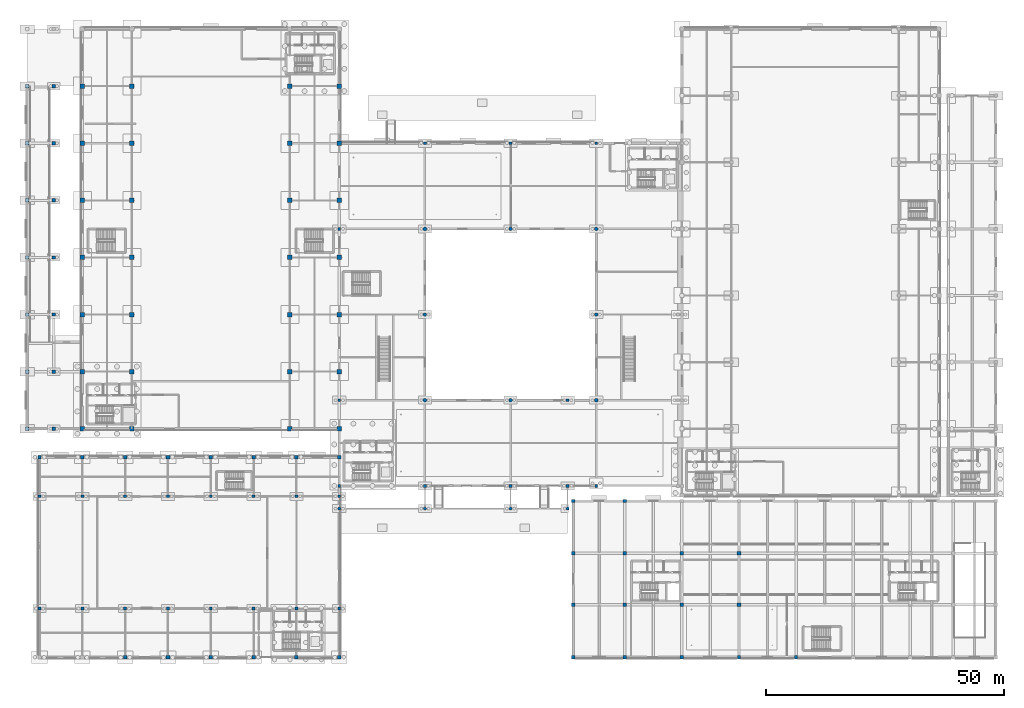
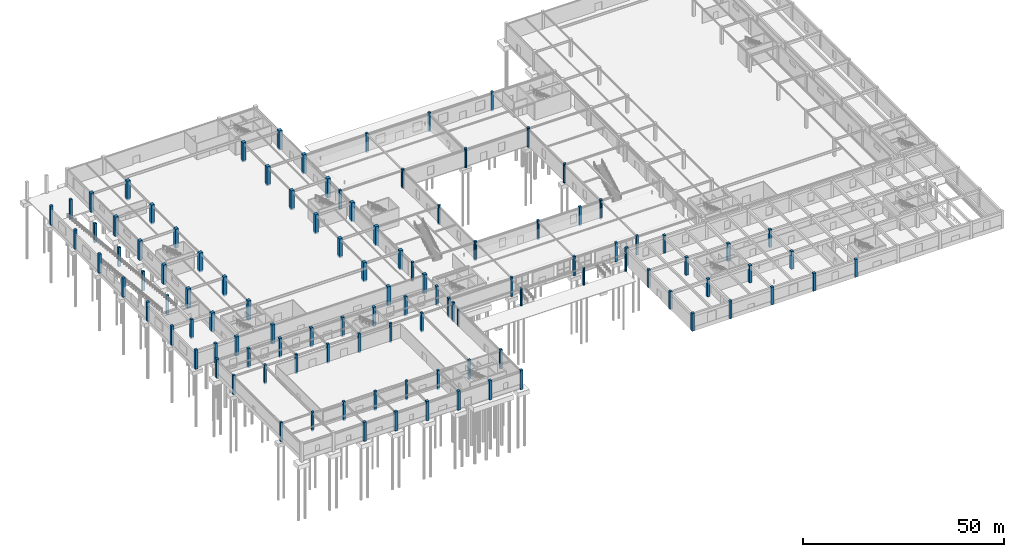
# One storey, part 8 of 53: 110 columns.
"""IFC4 building model written with IfcOpenShell, lengths in metres."""

from ifc_helpers import new_model, si_unit, derived_unit, direction, frame, origin, origin_2d, place, context, subcontext, project, spatial, rectangle, circle, extrude, material, material_profile, profile_set, type_object, element, save


model = new_model("IFC4")

# Units and contexts
model_context = context("Model", 3, precision=1e-05, world=origin(), true_north=direction((0.0, 1.0)))
body_context = subcontext(model_context, "Body", "Model", "MODEL_VIEW")
ifc_project = project(units=[si_unit("LENGTHUNIT", "METRE"), si_unit("AREAUNIT", "SQUARE_METRE"), si_unit("VOLUMEUNIT", "CUBIC_METRE"), si_unit("PLANEANGLEUNIT", "RADIAN"), si_unit("MASSUNIT", "GRAM", prefix="KILO"), derived_unit("THERMALTRANSMITTANCEUNIT", [(si_unit("POWERUNIT", "WATT"), 1), (si_unit("LENGTHUNIT", "METRE"), -2), (si_unit("THERMODYNAMICTEMPERATUREUNIT", "KELVIN"), -1)])], contexts=[model_context])

# Site, building, storey
site_placement = place(None, origin())
site = spatial("IfcSite", under=ifc_project, at=site_placement, CompositionType="ELEMENT")
building_placement = place(site_placement, origin())
building = spatial("IfcBuilding", under=site, at=building_placement, Name="Almenara Railside Exhibition Hall", CompositionType="ELEMENT")
storey_placement = place(building_placement, origin())
storey = spatial("IfcBuildingStorey", under=building, at=storey_placement, Name="L00", CompositionType="ELEMENT", Elevation=0.0)

# Columns
ifc_material_1 = material(Name="Concrete C35/45", Category="concrete")
ifc_material_profile_1 = material_profile(ifc_material_1, circle(Radius=0.324951171875, at=origin_2d()), Name="RC-COL D650")
ifc_profile_set_1 = profile_set([ifc_material_profile_1], Name="Concrete C35/45")
column_type_1 = type_object("IfcColumnType", Name="Arcade Tuscan Column D650 C35/45", PredefinedType="COLUMN", material=ifc_profile_set_1)
for number, where, z_axis, x_axis, name in (
    (1, (66.0, 31.199951171875, -0.43994140625), (0.0, 0.0, 1.0), (1.0, 0.0, 0.0), "Column 0511"),
    (2, (84.0, 31.199951171875, -0.43994140625), (0.0, 0.0, 1.0), (1.0, 0.0, 0.0), "Column 0512"),
    (3, (102.0, 31.199951171875, -0.43994140625), (0.0, 0.0, 1.0), (1.0, 0.0, 0.0), "Column 0513"),
    (4, (114.0, 31.199951171875, -0.43994140625), (0.0, 0.0, 1.0), (1.0, 0.0, 0.0), "Column 0514"),
):
    element("IfcColumn", number, at=place(storey_placement, frame(where, z_axis=z_axis, x_axis=x_axis)), inside=storey, type_object=column_type_1, Name=name, PredefinedType="COLUMN", context=body_context, shape_type="SweptSolid", body=[
        extrude(circle(Radius=0.324951171875, at=origin_2d()), origin(), (0.0, 0.0, 1.0), 5.239990234375),
    ])
ifc_material_2 = material(Name="Concrete C40/50", Category="concrete")
ifc_material_profile_2 = material_profile(ifc_material_2, circle(Radius=0.375, at=origin_2d()), Name="RC-COL D750")
ifc_profile_set_2 = profile_set([ifc_material_profile_2], Name="Concrete C40/50")
column_type_2 = type_object("IfcColumnType", Name="Arcade Tuscan Column D750 C40/50", PredefinedType="COLUMN", material=ifc_profile_set_2)
for number, where, z_axis, x_axis, name in (
    (5, (84.0, 72.0, -0.43994140625), (0.0, 0.0, 1.0), (1.0, 0.0, 0.0), "Column 0208"),
    (6, (102.0, 54.0, -0.43994140625), (0.0, 0.0, 1.0), (1.0, 0.0, 0.0), "Column 0220"),
    (7, (102.0, 90.0, -0.43994140625), (0.0, 0.0, 1.0), (1.0, 0.0, 0.0), "Column 0223"),
    (8, (120.0, 72.0, -0.43994140625), (0.0, 0.0, 1.0), (1.0, 0.0, 0.0), "Column 0231"),
):
    element("IfcColumn", number, at=place(storey_placement, frame(where, z_axis=z_axis, x_axis=x_axis)), inside=storey, type_object=column_type_2, Name=name, PredefinedType="COLUMN", context=body_context, shape_type="SweptSolid", body=[
        extrude(circle(Radius=0.375, at=origin_2d()), origin(), (0.0, 0.0, 1.0), 5.83984375),
    ])
ifc_material_profile_3 = material_profile(ifc_material_2, circle(Radius=0.39990234375, at=origin_2d()), Name="RC-COL D800")
ifc_profile_set_3 = profile_set([ifc_material_profile_3], Name="Concrete C40/50")
column_type_3 = type_object("IfcColumnType", Name="Arcade Tuscan Column D800 C40/50", PredefinedType="COLUMN", material=ifc_profile_set_3)
for number, where, z_axis, x_axis, name in (
    (9, (84.0, 54.0, -0.43994140625), (0.0, 0.0, 1.0), (1.0, 0.0, 0.0), "Column 0205"),
    (10, (84.0, 90.0, -0.43994140625), (0.0, 0.0, 1.0), (1.0, 0.0, 0.0), "Column 0211"),
    (11, (120.0, 54.0, -0.43994140625), (0.0, 0.0, 1.0), (1.0, 0.0, 0.0), "Column 0229"),
    (12, (120.0, 90.0, -0.43994140625), (0.0, 0.0, 1.0), (1.0, 0.0, 0.0), "Column 0233"),
):
    element("IfcColumn", number, at=place(storey_placement, frame(where, z_axis=z_axis, x_axis=x_axis)), inside=storey, type_object=column_type_3, Name=name, PredefinedType="COLUMN", context=body_context, shape_type="SweptSolid", body=[
        extrude(circle(Radius=0.39990234375, at=origin_2d()), origin(), (0.0, 0.0, 1.0), 5.83984375),
    ])
ifc_material_profile_4 = material_profile(ifc_material_1, rectangle(XDim=0.60009765625, YDim=0.60009765625, at=origin_2d()), Name="RC 600x600")
ifc_profile_set_4 = profile_set([ifc_material_profile_4], Name="Concrete C35/45")
column_type_4 = type_object("IfcColumnType", Name="RC Column 600x600 C35/45", PredefinedType="COLUMN", material=ifc_profile_set_4)
for number, where, z_axis, x_axis, name in (
    (13, (3.0, 10.199951171875, -0.43994140625), (0.0, 0.0, 1.0), (1.0, 0.0, 0.0), "Column 0141"),
    (14, (3.0, 33.800048828125, -0.43994140625), (0.0, 0.0, 1.0), (1.0, 0.0, 0.0), "Column 0142"),
    (15, (12.0, 10.199951171875, -0.43994140625), (0.0, 0.0, 1.0), (1.0, 0.0, 0.0), "Column 0147"),
    (16, (12.0, 33.800048828125, -0.43994140625), (0.0, 0.0, 1.0), (1.0, 0.0, 0.0), "Column 0148"),
    (17, (21.0, 10.199951171875, -0.43994140625), (0.0, 0.0, 1.0), (1.0, 0.0, 0.0), "Column 0153"),
    (18, (21.0, 33.800048828125, -0.43994140625), (0.0, 0.0, 1.0), (1.0, 0.0, 0.0), "Column 0154"),
    (19, (30.0, 10.199951171875, -0.43994140625), (0.0, 0.0, 1.0), (1.0, 0.0, 0.0), "Column 0159"),
    (20, (30.0, 33.800048828125, -0.43994140625), (0.0, 0.0, 1.0), (1.0, 0.0, 0.0), "Column 0160"),
    (21, (39.0, 10.199951171875, -0.43994140625), (0.0, 0.0, 1.0), (1.0, 0.0, 0.0), "Column 0167"),
    (22, (39.0, 33.800048828125, -0.43994140625), (0.0, 0.0, 1.0), (1.0, 0.0, 0.0), "Column 0168"),
    (23, (48.0, 10.199951171875, -0.43994140625), (0.0, 0.0, 1.0), (1.0, 0.0, 0.0), "Column 0175"),
    (24, (48.0, 33.800048828125, -0.43994140625), (0.0, 0.0, 1.0), (1.0, 0.0, 0.0), "Column 0176"),
    (25, (57.0, 10.199951171875, -0.43994140625), (0.0, 0.0, 1.0), (1.0, 0.0, 0.0), "Column 0183"),
    (26, (57.0, 33.800048828125, -0.43994140625), (0.0, 0.0, 1.0), (1.0, 0.0, 0.0), "Column 0184"),
    (27, (66.0, 10.199951171875, -0.43994140625), (0.0, 0.0, 1.0), (1.0, 0.0, 0.0), "Column 0191"),
    (28, (66.0, 33.800048828125, -0.43994140625), (0.0, 0.0, 1.0), (1.0, 0.0, 0.0), "Column 0192"),
    (29, (66.0, 36.0, -0.43994140625), (0.0, 0.0, 1.0), (1.0, 0.0, 0.0), "Column 0193"),
    (30, (66.0, 54.0, -0.43994140625), (0.0, 0.0, 1.0), (1.0, 0.0, 0.0), "Column 0196"),
    (31, (66.0, 90.0, -0.43994140625), (0.0, 0.0, 1.0), (1.0, 0.0, 0.0), "Column 0199"),
    (32, (84.0, 36.0, -0.43994140625), (0.0, 0.0, 1.0), (1.0, 0.0, 0.0), "Column 0202"),
    (33, (84.0, 108.0, -0.43994140625), (0.0, 0.0, 1.0), (1.0, 0.0, 0.0), "Column 0214"),
    (34, (102.0, 36.0, -0.43994140625), (0.0, 0.0, 1.0), (1.0, 0.0, 0.0), "Column 0217"),
    (35, (102.0, 108.0, -0.43994140625), (0.0, 0.0, 1.0), (1.0, 0.0, 0.0), "Column 0225"),
    (36, (120.0, 36.0, -0.43994140625), (0.0, 0.0, 1.0), (1.0, 0.0, 0.0), "Column 0227"),
    (37, (120.0, 108.0, -0.43994140625), (0.0, 0.0, 1.0), (1.0, 0.0, 0.0), "Column 0235"),
    (38, (114.0, 36.0, -0.43994140625), (0.0, 0.0, 1.0), (1.0, 0.0, 0.0), "Column 0495"),
    (39, (114.0, 54.0, -0.43994140625), (0.0, 0.0, 1.0), (1.0, 0.0, 0.0), "Column 0498"),
):
    element("IfcColumn", number, at=place(storey_placement, frame(where, z_axis=z_axis, x_axis=x_axis)), inside=storey, type_object=column_type_4, Name=name, PredefinedType="COLUMN", context=body_context, shape_type="SweptSolid", body=[
        extrude(rectangle(XDim=0.60009765625, YDim=0.60009765625, at=origin_2d()), origin(), (0.0, 0.0, 1.0), 5.83984375),
    ])
ifc_material_profile_5 = material_profile(ifc_material_2, rectangle(XDim=0.699951171875, YDim=0.699951171875, at=origin_2d()), Name="RC 700x700")
ifc_profile_set_5 = profile_set([ifc_material_profile_5], Name="Concrete C40/50")
column_type_5 = type_object("IfcColumnType", Name="RC Column 700x700 C40/50", PredefinedType="COLUMN", material=ifc_profile_set_5)
for number, where, z_axis, x_axis, name in (
    (40, (3.0, 42.0, -0.43994140625), (0.0, 0.0, 1.0), (1.0, 0.0, 0.0), "Column 0139"),
    (41, (66.0, 0.0, -0.43994140625), (0.0, 0.0, 1.0), (1.0, 0.0, 0.0), "Column 0185"),
    (42, (66.0, 42.0, -0.43994140625), (0.0, 0.0, 1.0), (1.0, 0.0, 0.0), "Column 0188"),
    (43, (0.39990234375, 48.0, -0.43994140625), (0.0, 0.0, 1.0), (1.0, 0.0, 0.0), "Column 0245"),
    (44, (6.0, 48.0, -0.43994140625), (0.0, 0.0, 1.0), (1.0, 0.0, 0.0), "Column 0247"),
    (45, (0.39990234375, 60.0, -0.43994140625), (0.0, 0.0, 1.0), (1.0, 0.0, 0.0), "Column 0249"),
    (46, (6.0, 60.0, -0.43994140625), (0.0, 0.0, 1.0), (1.0, 0.0, 0.0), "Column 0251"),
    (47, (0.39990234375, 72.0, -0.43994140625), (0.0, 0.0, 1.0), (1.0, 0.0, 0.0), "Column 0253"),
    (48, (6.0, 72.0, -0.43994140625), (0.0, 0.0, 1.0), (1.0, 0.0, 0.0), "Column 0255"),
    (49, (0.39990234375, 84.0, -0.43994140625), (0.0, 0.0, 1.0), (1.0, 0.0, 0.0), "Column 0257"),
    (50, (6.0, 84.0, -0.43994140625), (0.0, 0.0, 1.0), (1.0, 0.0, 0.0), "Column 0259"),
    (51, (0.39990234375, 96.0, -0.43994140625), (0.0, 0.0, 1.0), (1.0, 0.0, 0.0), "Column 0261"),
    (52, (6.0, 96.0, -0.43994140625), (0.0, 0.0, 1.0), (1.0, 0.0, 0.0), "Column 0264"),
    (53, (0.39990234375, 108.0, -0.43994140625), (0.0, 0.0, 1.0), (1.0, 0.0, 0.0), "Column 0267"),
    (54, (6.0, 108.0, -0.43994140625), (0.0, 0.0, 1.0), (1.0, 0.0, 0.0), "Column 0270"),
    (55, (0.39990234375, 120.0, -0.43994140625), (0.0, 0.0, 1.0), (1.0, 0.0, 0.0), "Column 0273"),
    (56, (6.0, 120.0, -0.43994140625), (0.0, 0.0, 1.0), (1.0, 0.0, 0.0), "Column 0276"),
):
    element("IfcColumn", number, at=place(storey_placement, frame(where, z_axis=z_axis, x_axis=x_axis)), inside=storey, type_object=column_type_5, Name=name, PredefinedType="COLUMN", context=body_context, shape_type="SweptSolid", body=[
        extrude(rectangle(XDim=0.699951171875, YDim=0.699951171875, at=origin_2d()), origin(), (0.0, 0.0, 1.0), 5.83984375),
    ])
for number, where, z_axis, x_axis, name in (
    (57, (115.199951171875, 0.0, 0.0), (0.0, 0.0, 1.0), (1.0, 0.0, 0.0), "Column 0286"),
    (58, (115.199951171875, 11.0, 0.0), (0.0, 0.0, 1.0), (1.0, 0.0, 0.0), "Column 0290"),
    (59, (115.199951171875, 21.800048828125, 0.0), (0.0, 0.0, 1.0), (1.0, 0.0, 0.0), "Column 0294"),
    (60, (115.199951171875, 32.800048828125, 0.0), (0.0, 0.0, 1.0), (1.0, 0.0, 0.0), "Column 0298"),
    (61, (126.0, 0.0, 0.0), (0.0, 0.0, 1.0), (1.0, 0.0, 0.0), "Column 0302"),
    (62, (126.0, 32.800048828125, 0.0), (0.0, 0.0, 1.0), (1.0, 0.0, 0.0), "Column 0317"),
    (63, (138.0, 0.0, 0.0), (0.0, 0.0, 1.0), (1.0, 0.0, 0.0), "Column 0321"),
    (64, (150.0, 0.0, 0.0), (0.0, 0.0, 1.0), (1.0, 0.0, 0.0), "Column 0340"),
    (65, (162.0, 0.0, 0.0), (0.0, 0.0, 1.0), (1.0, 0.0, 0.0), "Column 0359"),
):
    element("IfcColumn", number, at=place(storey_placement, frame(where, z_axis=z_axis, x_axis=x_axis)), inside=storey, type_object=column_type_5, Name=name, PredefinedType="COLUMN", context=body_context, shape_type="SweptSolid", body=[
        extrude(rectangle(XDim=0.699951171875, YDim=0.699951171875, at=origin_2d()), origin(), (0.0, 0.0, 1.0), 5.39990234375),
    ])
ifc_material_profile_6 = material_profile(ifc_material_2, rectangle(XDim=0.75, YDim=0.75, at=origin_2d()), Name="RC 750x750")
ifc_profile_set_6 = profile_set([ifc_material_profile_6], Name="Concrete C40/50")
column_type_6 = type_object("IfcColumnType", Name="RC Column 750x750 C40/50", PredefinedType="COLUMN", material=ifc_profile_set_6)
for number, where, z_axis, x_axis, name in (
    (66, (12.0, 42.0, -0.43994140625), (0.0, 0.0, 1.0), (1.0, 0.0, 0.0), "Column 0145"),
    (67, (21.0, 0.0, -0.43994140625), (0.0, 0.0, 1.0), (1.0, 0.0, 0.0), "Column 0149"),
    (68, (21.0, 42.0, -0.43994140625), (0.0, 0.0, 1.0), (1.0, 0.0, 0.0), "Column 0151"),
    (69, (30.0, 0.0, -0.43994140625), (0.0, 0.0, 1.0), (1.0, 0.0, 0.0), "Column 0155"),
    (70, (30.0, 42.0, -0.43994140625), (0.0, 0.0, 1.0), (1.0, 0.0, 0.0), "Column 0157"),
    (71, (39.0, 0.0, -0.43994140625), (0.0, 0.0, 1.0), (1.0, 0.0, 0.0), "Column 0161"),
    (72, (39.0, 42.0, -0.43994140625), (0.0, 0.0, 1.0), (1.0, 0.0, 0.0), "Column 0164"),
    (73, (48.0, 0.0, -0.43994140625), (0.0, 0.0, 1.0), (1.0, 0.0, 0.0), "Column 0169"),
    (74, (48.0, 42.0, -0.43994140625), (0.0, 0.0, 1.0), (1.0, 0.0, 0.0), "Column 0172"),
    (75, (57.0, 0.0, -0.43994140625), (0.0, 0.0, 1.0), (1.0, 0.0, 0.0), "Column 0177"),
    (76, (57.0, 42.0, -0.43994140625), (0.0, 0.0, 1.0), (1.0, 0.0, 0.0), "Column 0180"),
):
    element("IfcColumn", number, at=place(storey_placement, frame(where, z_axis=z_axis, x_axis=x_axis)), inside=storey, type_object=column_type_6, Name=name, PredefinedType="COLUMN", context=body_context, shape_type="SweptSolid", body=[
        extrude(rectangle(XDim=0.75, YDim=0.75, at=origin_2d()), origin(), (0.0, 0.0, 1.0), 5.83984375),
    ])
for number, where, z_axis, x_axis, name in (
    (77, (126.0, 11.0, 0.0), (0.0, 0.0, 1.0), (1.0, 0.0, 0.0), "Column 0307"),
    (78, (126.0, 21.800048828125, 0.0), (0.0, 0.0, 1.0), (1.0, 0.0, 0.0), "Column 0312"),
    (79, (138.0, 11.0, 0.0), (0.0, 0.0, 1.0), (1.0, 0.0, 0.0), "Column 0326"),
    (80, (138.0, 21.800048828125, 0.0), (0.0, 0.0, 1.0), (1.0, 0.0, 0.0), "Column 0331"),
    (81, (150.0, 11.0, 0.0), (0.0, 0.0, 1.0), (1.0, 0.0, 0.0), "Column 0345"),
    (82, (150.0, 21.800048828125, 0.0), (0.0, 0.0, 1.0), (1.0, 0.0, 0.0), "Column 0350"),
):
    element("IfcColumn", number, at=place(storey_placement, frame(where, z_axis=z_axis, x_axis=x_axis)), inside=storey, type_object=column_type_6, Name=name, PredefinedType="COLUMN", context=body_context, shape_type="SweptSolid", body=[
        extrude(rectangle(XDim=0.75, YDim=0.75, at=origin_2d()), origin(), (0.0, 0.0, 1.0), 5.39990234375),
    ])
ifc_material_profile_7 = material_profile(ifc_material_2, rectangle(XDim=0.89990234375, YDim=0.89990234375, at=origin_2d()), Name="RC 900x900")
ifc_profile_set_7 = profile_set([ifc_material_profile_7], Name="Concrete C40/50")
column_type_7 = type_object("IfcColumnType", Name="RC Column 900x900 C40/50", PredefinedType="COLUMN", material=ifc_profile_set_7)
for number, where, z_axis, x_axis, name in (
    (83, (12.0, 48.0, -0.43994140625), (0.0, 0.0, 1.0), (1.0, 0.0, 0.0), "Column 0001"),
    (84, (66.0, 48.0, -0.43994140625), (0.0, 0.0, 1.0), (1.0, 0.0, 0.0), "Column 0004"),
    (85, (22.39990234375, 48.0, -0.43994140625), (0.0, 0.0, 1.0), (1.0, 0.0, 0.0), "Column 0007"),
    (86, (55.60009765625, 48.0, -0.43994140625), (0.0, 0.0, 1.0), (1.0, 0.0, 0.0), "Column 0010"),
):
    element("IfcColumn", number, at=place(storey_placement, frame(where, z_axis=z_axis, x_axis=x_axis)), inside=storey, type_object=column_type_7, Name=name, PredefinedType="COLUMN", context=body_context, shape_type="SweptSolid", body=[
        extrude(rectangle(XDim=0.89990234375, YDim=0.89990234375, at=origin_2d()), origin(), (0.0, 0.0, 1.0), 5.83984375),
    ])
ifc_material_profile_8 = material_profile(ifc_material_2, rectangle(XDim=0.949951171875, YDim=0.949951171875, at=origin_2d()), Name="RC 950x950")
ifc_profile_set_8 = profile_set([ifc_material_profile_8], Name="Concrete C40/50")
column_type_8 = type_object("IfcColumnType", Name="RC Column 950x950 C40/50", PredefinedType="COLUMN", material=ifc_profile_set_8)
for number, where, z_axis, x_axis, name in (
    (87, (12.0, 60.0, -0.43994140625), (0.0, 0.0, 1.0), (1.0, 0.0, 0.0), "Column 0013"),
    (88, (66.0, 60.0, -0.43994140625), (0.0, 0.0, 1.0), (1.0, 0.0, 0.0), "Column 0016"),
    (89, (22.39990234375, 60.0, -0.43994140625), (0.0, 0.0, 1.0), (1.0, 0.0, 0.0), "Column 0019"),
    (90, (55.60009765625, 60.0, -0.43994140625), (0.0, 0.0, 1.0), (1.0, 0.0, 0.0), "Column 0021"),
    (91, (12.0, 72.0, -0.43994140625), (0.0, 0.0, 1.0), (1.0, 0.0, 0.0), "Column 0023"),
    (92, (66.0, 72.0, -0.43994140625), (0.0, 0.0, 1.0), (1.0, 0.0, 0.0), "Column 0026"),
    (93, (22.39990234375, 72.0, -0.43994140625), (0.0, 0.0, 1.0), (1.0, 0.0, 0.0), "Column 0029"),
    (94, (55.60009765625, 72.0, -0.43994140625), (0.0, 0.0, 1.0), (1.0, 0.0, 0.0), "Column 0031"),
    (95, (12.0, 84.0, -0.43994140625), (0.0, 0.0, 1.0), (1.0, 0.0, 0.0), "Column 0033"),
    (96, (66.0, 84.0, -0.43994140625), (0.0, 0.0, 1.0), (1.0, 0.0, 0.0), "Column 0036"),
    (97, (22.39990234375, 84.0, -0.43994140625), (0.0, 0.0, 1.0), (1.0, 0.0, 0.0), "Column 0039"),
    (98, (55.60009765625, 84.0, -0.43994140625), (0.0, 0.0, 1.0), (1.0, 0.0, 0.0), "Column 0041"),
    (99, (12.0, 96.0, -0.43994140625), (0.0, 0.0, 1.0), (1.0, 0.0, 0.0), "Column 0043"),
    (100, (66.0, 96.0, -0.43994140625), (0.0, 0.0, 1.0), (1.0, 0.0, 0.0), "Column 0046"),
    (101, (22.39990234375, 96.0, -0.43994140625), (0.0, 0.0, 1.0), (1.0, 0.0, 0.0), "Column 0049"),
    (102, (55.60009765625, 96.0, -0.43994140625), (0.0, 0.0, 1.0), (1.0, 0.0, 0.0), "Column 0051"),
    (103, (12.0, 108.0, -0.43994140625), (0.0, 0.0, 1.0), (1.0, 0.0, 0.0), "Column 0053"),
    (104, (66.0, 108.0, -0.43994140625), (0.0, 0.0, 1.0), (1.0, 0.0, 0.0), "Column 0056"),
    (105, (22.39990234375, 108.0, -0.43994140625), (0.0, 0.0, 1.0), (1.0, 0.0, 0.0), "Column 0059"),
    (106, (55.60009765625, 108.0, -0.43994140625), (0.0, 0.0, 1.0), (1.0, 0.0, 0.0), "Column 0061"),
    (107, (12.0, 120.0, -0.43994140625), (0.0, 0.0, 1.0), (1.0, 0.0, 0.0), "Column 0063"),
    (108, (66.0, 120.0, -0.43994140625), (0.0, 0.0, 1.0), (1.0, 0.0, 0.0), "Column 0066"),
    (109, (22.39990234375, 120.0, -0.43994140625), (0.0, 0.0, 1.0), (1.0, 0.0, 0.0), "Column 0069"),
    (110, (55.60009765625, 120.0, -0.43994140625), (0.0, 0.0, 1.0), (1.0, 0.0, 0.0), "Column 0071"),
):
    element("IfcColumn", number, at=place(storey_placement, frame(where, z_axis=z_axis, x_axis=x_axis)), inside=storey, type_object=column_type_8, Name=name, PredefinedType="COLUMN", context=body_context, shape_type="SweptSolid", body=[
        extrude(rectangle(XDim=0.949951171875, YDim=0.949951171875, at=origin_2d()), origin(), (0.0, 0.0, 1.0), 5.83984375),
    ])

save(model, "model.ifc")
